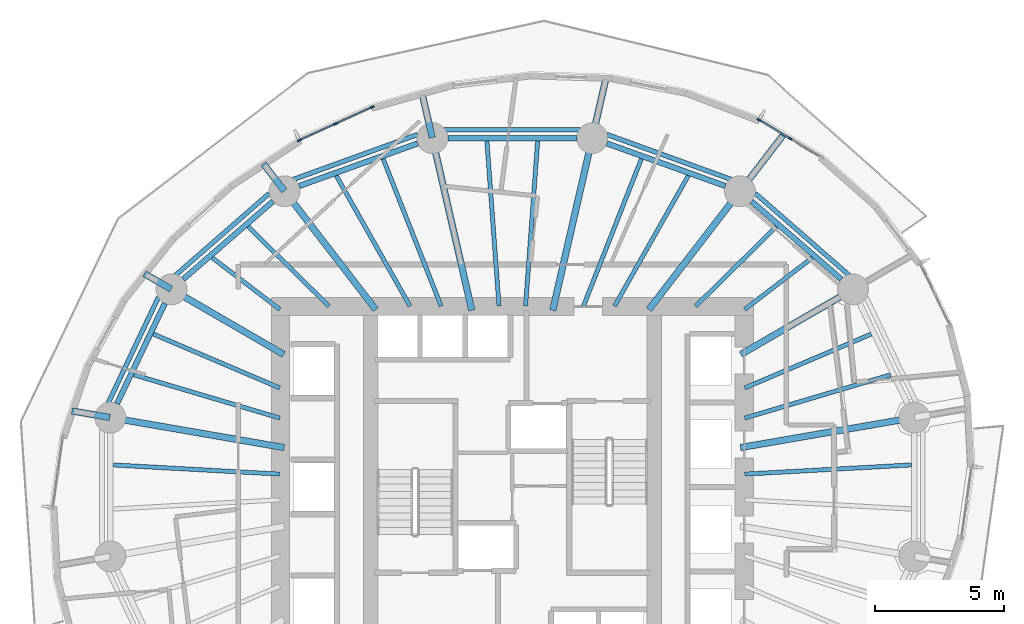
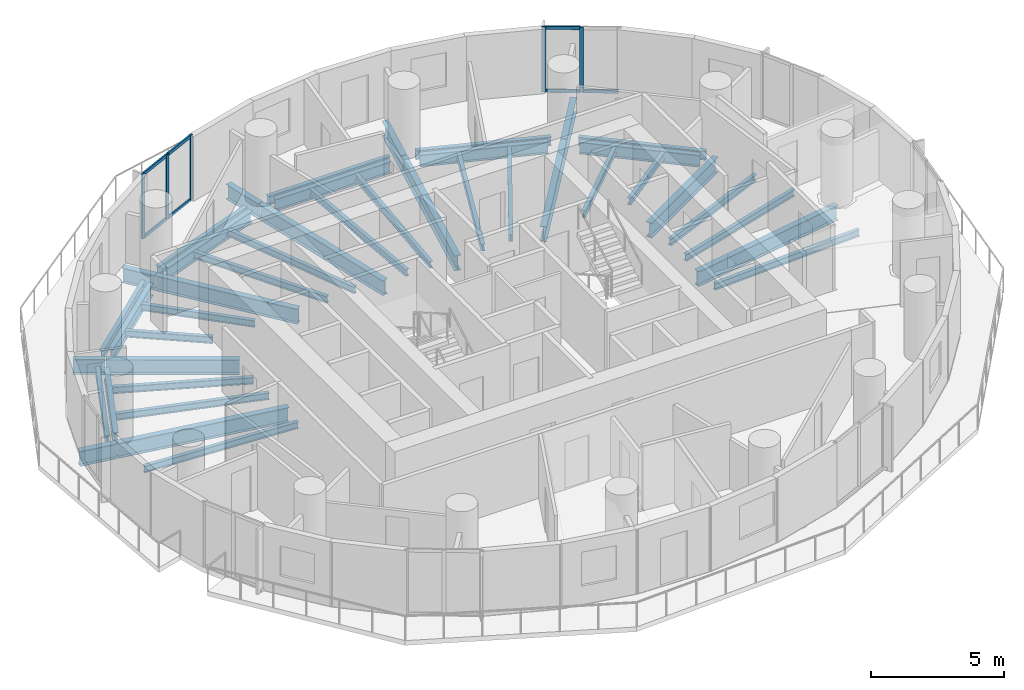
# One storey, part 4 of 14: 42 beams, 12 members, 2 elements without a shape of their own.
"""IFC4 building model written with IfcOpenShell, lengths in metres."""

from ifc_helpers import new_model, si_unit, direction, frame, origin, origin_2d, place, context, subcontext, project, spatial, rectangle, i_section, extrude, material, material_profile, profile_set, type_object, element, aggregate, save


model = new_model("IFC4")

# Units and contexts
model_context = context("Model", 3, precision=1e-05, world=origin(), true_north=direction((0.0, 1.0)))
body_context = subcontext(model_context, "Body", "Model", "MODEL_VIEW")
ifc_project = project(units=[si_unit("LENGTHUNIT", "METRE"), si_unit("AREAUNIT", "SQUARE_METRE"), si_unit("VOLUMEUNIT", "CUBIC_METRE"), si_unit("PLANEANGLEUNIT", "RADIAN"), si_unit("MASSUNIT", "GRAM", prefix="KILO")], contexts=[model_context])

# Site, building, storey
site_placement = place(None, origin())
site = spatial("IfcSite", under=ifc_project, at=site_placement, CompositionType="ELEMENT")
building_placement = place(site_placement, origin())
building = spatial("IfcBuilding", under=site, at=building_placement, Name="Veldorim Arch Residences", CompositionType="ELEMENT")
storey_placement = place(building_placement, frame((0.0, 0.0, 90.080078125)))
storey = spatial("IfcBuildingStorey", under=building, at=storey_placement, Name="L26", CompositionType="ELEMENT", Elevation=90.080078125)

# Beams
ifc_material_1 = material(Name="Steel S355", Category="steel")
ifc_material_profile_1 = material_profile(ifc_material_1, i_section(OverallWidth=0.2119140625, OverallDepth=0.54443359375, WebThickness=0.0126953125, FlangeThickness=0.021240234375, at=origin_2d()), Name="UB533x210x122")
ifc_profile_set_1 = profile_set([ifc_material_profile_1], Name="Steel S355")
beam_type_1 = type_object("IfcBeamType", Name="Structural Steel Beam UB533x210x122", PredefinedType="BEAM", material=ifc_profile_set_1)
beam_1_placement = place(storey_placement, frame((44.767333984375, 32.060302734375, -0.51220703125), z_axis=(-0.755244952556, 0.655442645576, 0.0), x_axis=(-0.655442645576, -0.755244952556, 0.0)))
element("IfcBeam", 1, at=beam_1_placement, inside=storey, type_object=beam_type_1, Name="L26 perimeter ring tie beam 02", PredefinedType="BEAM", context=body_context, shape_type="SweptSolid", body=[
    extrude(i_section(OverallWidth=0.2119140625, OverallDepth=0.54443359375, WebThickness=0.0126953125, FlangeThickness=0.021240234375, at=origin_2d()), origin(), (0.0, 0.0, 1.0), 4.608642578125),
])
beam_2_placement = place(storey_placement, frame((40.26904296875, 35.67724609375, -0.51220703125), z_axis=(-0.941041944493, 0.338289903343, 0.0), x_axis=(-0.338289903343, -0.941041944493, 0.0)))
element("IfcBeam", 2, at=beam_2_placement, inside=storey, type_object=beam_type_1, Name="L26 perimeter ring tie beam 03", PredefinedType="BEAM", context=body_context, shape_type="SweptSolid", body=[
    extrude(i_section(OverallWidth=0.2119140625, OverallDepth=0.54443359375, WebThickness=0.0126953125, FlangeThickness=0.021240234375, at=origin_2d()), origin(), (0.0, 0.0, 1.0), 4.890869140625),
])
beam_3_placement = place(storey_placement, frame((34.501953125, 37.534912109375, -0.51220703125), z_axis=(-1.0, 0.0, 0.0), x_axis=(0.0, -1.0, 0.0)))
element("IfcBeam", 3, at=beam_3_placement, inside=storey, type_object=beam_type_1, Name="L26 perimeter ring tie beam 04", PredefinedType="BEAM", context=body_context, shape_type="SweptSolid", body=[
    extrude(i_section(OverallWidth=0.2119140625, OverallDepth=0.54443359375, WebThickness=0.0126953125, FlangeThickness=0.021240234375, at=origin_2d()), origin(), (0.0, 0.0, 1.0), 5.00390625),
])
beam_4_placement = place(storey_placement, frame((28.33349609375, 37.331787109375, -0.51220703125), z_axis=(-0.941041944493, -0.338289903343, 0.0), x_axis=(0.338289903343, -0.941041944493, 0.0)))
element("IfcBeam", 4, at=beam_4_placement, inside=storey, type_object=beam_type_1, Name="L26 perimeter ring tie beam 05", PredefinedType="BEAM", context=body_context, shape_type="SweptSolid", body=[
    extrude(i_section(OverallWidth=0.2119140625, OverallDepth=0.54443359375, WebThickness=0.0126953125, FlangeThickness=0.021240234375, at=origin_2d()), origin(), (0.0, 0.0, 1.0), 4.890869140625),
])
beam_5_placement = place(storey_placement, frame((22.71337890625, 35.0810546875, -0.51220703125), z_axis=(-0.755244952556, -0.655442645576, 0.0), x_axis=(0.655442645576, -0.755244952556, 0.0)))
element("IfcBeam", 5, at=beam_5_placement, inside=storey, type_object=beam_type_1, Name="L26 perimeter ring tie beam 06", PredefinedType="BEAM", context=body_context, shape_type="SweptSolid", body=[
    extrude(i_section(OverallWidth=0.2119140625, OverallDepth=0.54443359375, WebThickness=0.0126953125, FlangeThickness=0.021240234375, at=origin_2d()), origin(), (0.0, 0.0, 1.0), 4.608642578125),
])
beam_6_placement = place(storey_placement, frame((18.521240234375, 31.12548828125, -0.51220703125), z_axis=(-0.430720154476, -0.902485539235, 0.0), x_axis=(0.902485539235, -0.430720154476, 0.0)))
element("IfcBeam", 6, at=beam_6_placement, inside=storey, type_object=beam_type_1, Name="L26 perimeter ring tie beam 07", PredefinedType="BEAM", context=body_context, shape_type="SweptSolid", body=[
    extrude(i_section(OverallWidth=0.2119140625, OverallDepth=0.54443359375, WebThickness=0.0126953125, FlangeThickness=0.021240234375, at=origin_2d()), origin(), (0.0, 0.0, 1.0), 4.312255859375),
])
ifc_material_2 = material(Name="Steel S355", Category="steel")
ifc_material_profile_2 = material_profile(ifc_material_2, i_section(OverallWidth=0.25439453125, OverallDepth=0.6875, WebThickness=0.01318359375, FlangeThickness=0.02099609375, at=origin_2d()), Name="UB686x254x152")
ifc_profile_set_2 = profile_set([ifc_material_profile_2], Name="Steel S355")
beam_type_2 = type_object("IfcBeamType", Name="Structural Steel GIRDER UB686x254x152", PredefinedType="USERDEFINED", material=ifc_profile_set_2)
beam_7_placement = place(storey_placement, frame((40.852294921875, 25.5283203125, -0.583740234375), z_axis=(0.985426622718, 0.17010106184, 0.0), x_axis=(-0.17010106184, 0.985426622718, 0.0)))
element("IfcBeam", 7, at=beam_7_placement, inside=storey, type_object=beam_type_2, Name="L26 radial floor girder 01", ObjectType="GIRDER", PredefinedType="USERDEFINED", context=body_context, shape_type="SweptSolid", body=[
    extrude(i_section(OverallWidth=0.25439453125, OverallDepth=0.6875, WebThickness=0.01318359375, FlangeThickness=0.02099609375, at=origin_2d()), origin(), (0.0, 0.0, 1.0), 6.82177734375),
])
beam_8_placement = place(storey_placement, frame((40.8701171875, 29.14404296875, -0.583740234375), z_axis=(0.865048957682, 0.501687453314, 0.0), x_axis=(-0.501687453314, 0.865048957682, 0.0)))
element("IfcBeam", 8, at=beam_8_placement, inside=storey, type_object=beam_type_2, Name="L26 radial floor girder 02", ObjectType="GIRDER", PredefinedType="USERDEFINED", context=body_context, shape_type="SweptSolid", body=[
    extrude(i_section(OverallWidth=0.25439453125, OverallDepth=0.6875, WebThickness=0.01318359375, FlangeThickness=0.02099609375, at=origin_2d()), origin(), (0.0, 0.0, 1.0), 5.009033203125),
])
beam_9_placement = place(storey_placement, frame((37.297607421875, 30.881103515625, -0.583740234375), z_axis=(0.609994628196, 0.792405548676, 0.0), x_axis=(-0.792405548676, 0.609994628196, 0.0)))
element("IfcBeam", 9, at=beam_9_placement, inside=storey, type_object=beam_type_2, Name="L26 radial floor girder 03", ObjectType="GIRDER", PredefinedType="USERDEFINED", context=body_context, shape_type="SweptSolid", body=[
    extrude(i_section(OverallWidth=0.25439453125, OverallDepth=0.6875, WebThickness=0.01318359375, FlangeThickness=0.02099609375, at=origin_2d()), origin(), (0.0, 0.0, 1.0), 5.776611328125),
])
beam_10_placement = place(storey_placement, frame((40.845703125, 35.489990234375, -0.583740234375), z_axis=(0.610003108496, 0.792399020459, 0.0), x_axis=(-0.792399020459, 0.610003108496, 0.0)))
element("IfcBeam", 10, at=beam_10_placement, inside=storey, type_object=beam_type_2, Name="L26 radial edge cantilever girder 03", ObjectType="GIRDER", PredefinedType="USERDEFINED", context=body_context, shape_type="SweptSolid", body=[
    extrude(i_section(OverallWidth=0.25439453125, OverallDepth=0.6875, WebThickness=0.01318359375, FlangeThickness=0.02099609375, at=origin_2d()), origin(), (0.0, 0.0, 1.0), 2.743896484375),
])
beam_11_placement = place(storey_placement, frame((33.57080078125, 30.853759765625, -0.583740234375), z_axis=(0.223374742148, 0.97473264261, 0.0), x_axis=(-0.97473264261, 0.223374742148, 0.0)))
element("IfcBeam", 11, at=beam_11_placement, inside=storey, type_object=beam_type_2, Name="L26 radial floor girder 04", ObjectType="GIRDER", PredefinedType="USERDEFINED", context=body_context, shape_type="SweptSolid", body=[
    extrude(i_section(OverallWidth=0.25439453125, OverallDepth=0.6875, WebThickness=0.01318359375, FlangeThickness=0.02099609375, at=origin_2d()), origin(), (0.0, 0.0, 1.0), 6.834228515625),
])
beam_12_placement = place(storey_placement, frame((35.1064453125, 37.55419921875, -0.583740234375), z_axis=(0.223325717101, 0.974743876145, 0.0), x_axis=(-0.974743876145, 0.223325717101, 0.0)))
element("IfcBeam", 12, at=beam_12_placement, inside=storey, type_object=beam_type_2, Name="L26 radial edge cantilever girder 04", ObjectType="GIRDER", PredefinedType="USERDEFINED", context=body_context, shape_type="SweptSolid", body=[
    extrude(i_section(OverallWidth=0.25439453125, OverallDepth=0.6875, WebThickness=0.01318359375, FlangeThickness=0.02099609375, at=origin_2d()), origin(), (0.0, 0.0, 1.0), 2.395263671875),
])
beam_13_placement = place(storey_placement, frame((30.42919921875, 30.853759765625, -0.583740234375), z_axis=(-0.223374742148, 0.97473264261, 0.0), x_axis=(-0.97473264261, -0.223374742148, 0.0)))
element("IfcBeam", 13, at=beam_13_placement, inside=storey, type_object=beam_type_2, Name="L26 radial floor girder 05", ObjectType="GIRDER", PredefinedType="USERDEFINED", context=body_context, shape_type="SweptSolid", body=[
    extrude(i_section(OverallWidth=0.25439453125, OverallDepth=0.6875, WebThickness=0.01318359375, FlangeThickness=0.02099609375, at=origin_2d()), origin(), (0.0, 0.0, 1.0), 6.834228515625),
])
beam_14_placement = place(storey_placement, frame((28.8935546875, 37.55419921875, -0.583740234375), z_axis=(-0.223398006298, 0.974727310986, 0.0), x_axis=(-0.974727310986, -0.223398006298, 0.0)))
element("IfcBeam", 14, at=beam_14_placement, inside=storey, type_object=beam_type_2, Name="L26 radial edge cantilever girder 05", ObjectType="GIRDER", PredefinedType="USERDEFINED", context=body_context, shape_type="SweptSolid", body=[
    extrude(i_section(OverallWidth=0.25439453125, OverallDepth=0.6875, WebThickness=0.01318359375, FlangeThickness=0.02099609375, at=origin_2d()), origin(), (0.0, 0.0, 1.0), 1.769287109375),
])
beam_15_placement = place(storey_placement, frame((26.702392578125, 30.881103515625, -0.583740234375), z_axis=(-0.609994628196, 0.792405548676, 0.0), x_axis=(-0.792405548676, -0.609994628196, 0.0)))
element("IfcBeam", 15, at=beam_15_placement, inside=storey, type_object=beam_type_2, Name="L26 radial floor girder 06", ObjectType="GIRDER", PredefinedType="USERDEFINED", context=body_context, shape_type="SweptSolid", body=[
    extrude(i_section(OverallWidth=0.25439453125, OverallDepth=0.6875, WebThickness=0.01318359375, FlangeThickness=0.02099609375, at=origin_2d()), origin(), (0.0, 0.0, 1.0), 5.776611328125),
])
beam_16_placement = place(storey_placement, frame((23.154296875, 35.489990234375, -0.583740234375), z_axis=(-0.609952716704, 0.792437810421, 0.0), x_axis=(-0.792437810421, -0.609952716704, 0.0)))
element("IfcBeam", 16, at=beam_16_placement, inside=storey, type_object=beam_type_2, Name="L26 radial edge cantilever girder 06", ObjectType="GIRDER", PredefinedType="USERDEFINED", context=body_context, shape_type="SweptSolid", body=[
    extrude(i_section(OverallWidth=0.25439453125, OverallDepth=0.6875, WebThickness=0.01318359375, FlangeThickness=0.02099609375, at=origin_2d()), origin(), (0.0, 0.0, 1.0), 1.31640625),
])
beam_17_placement = place(storey_placement, frame((23.1298828125, 29.14404296875, -0.583740234375), z_axis=(-0.865048957682, 0.501687453314, 0.0), x_axis=(-0.501687453314, -0.865048957682, 0.0)))
element("IfcBeam", 17, at=beam_17_placement, inside=storey, type_object=beam_type_2, Name="L26 radial floor girder 07", ObjectType="GIRDER", PredefinedType="USERDEFINED", context=body_context, shape_type="SweptSolid", body=[
    extrude(i_section(OverallWidth=0.25439453125, OverallDepth=0.6875, WebThickness=0.01318359375, FlangeThickness=0.02099609375, at=origin_2d()), origin(), (0.0, 0.0, 1.0), 5.009033203125),
])
beam_18_placement = place(storey_placement, frame((18.76220703125, 31.677001953125, -0.583740234375), z_axis=(-0.865034732672, 0.501711980394, 0.0), x_axis=(-0.501711980394, -0.865034732672, 0.0)))
element("IfcBeam", 18, at=beam_18_placement, inside=storey, type_object=beam_type_2, Name="L26 radial edge cantilever girder 07", ObjectType="GIRDER", PredefinedType="USERDEFINED", context=body_context, shape_type="SweptSolid", body=[
    extrude(i_section(OverallWidth=0.25439453125, OverallDepth=0.6875, WebThickness=0.01318359375, FlangeThickness=0.02099609375, at=origin_2d()), origin(), (0.0, 0.0, 1.0), 1.196044921875),
])
beam_19_placement = place(storey_placement, frame((23.147705078125, 25.5283203125, -0.583740234375), z_axis=(-0.985426622718, 0.17010106184, 0.0), x_axis=(-0.17010106184, -0.985426622718, 0.0)))
element("IfcBeam", 19, at=beam_19_placement, inside=storey, type_object=beam_type_2, Name="L26 radial floor girder 08", ObjectType="GIRDER", PredefinedType="USERDEFINED", context=body_context, shape_type="SweptSolid", body=[
    extrude(i_section(OverallWidth=0.25439453125, OverallDepth=0.6875, WebThickness=0.01318359375, FlangeThickness=0.02099609375, at=origin_2d()), origin(), (0.0, 0.0, 1.0), 6.82177734375),
])
beam_20_placement = place(storey_placement, frame((16.3857421875, 26.695556640625, -0.583740234375), z_axis=(-0.985432749293, 0.170065565652, 0.0), x_axis=(-0.170065565652, -0.985432749293, 0.0)))
element("IfcBeam", 20, at=beam_20_placement, inside=storey, type_object=beam_type_2, Name="L26 radial edge cantilever girder 08", ObjectType="GIRDER", PredefinedType="USERDEFINED", context=body_context, shape_type="SweptSolid", body=[
    extrude(i_section(OverallWidth=0.25439453125, OverallDepth=0.6875, WebThickness=0.01318359375, FlangeThickness=0.02099609375, at=origin_2d()), origin(), (0.0, 0.0, 1.0), 1.494384765625),
])
ifc_material_3 = material(Name="Steel S355", Category="steel")
ifc_material_profile_3 = material_profile(ifc_material_3, i_section(OverallWidth=0.165771484375, OverallDepth=0.306640625, WebThickness=0.006591796875, FlangeThickness=0.01171875, at=origin_2d()), Name="UB305x165x46")
ifc_profile_set_3 = profile_set([ifc_material_profile_3], Name="Steel S355")
beam_type_3 = type_object("IfcBeamType", Name="Structural Steel Joist UB305x165x46", PredefinedType="JOIST", material=ifc_profile_set_3)
beam_21_placement = place(storey_placement, frame((41.019287109375, 26.673583984375, -0.393310546875), z_axis=(0.958753061488, 0.284240333324, 0.0), x_axis=(-0.284240333324, 0.958753061488, 0.0)))
element("IfcBeam", 21, at=beam_21_placement, inside=storey, type_object=beam_type_3, Name="L26 secondary radial floor joist 01-1", PredefinedType="JOIST", context=body_context, shape_type="SweptSolid", body=[
    extrude(i_section(OverallWidth=0.165771484375, OverallDepth=0.306640625, WebThickness=0.006591796875, FlangeThickness=0.01171875, at=origin_2d()), origin(), (0.0, 0.0, 1.0), 5.906005859375),
])
beam_22_placement = place(storey_placement, frame((41.018310546875, 27.841552734375, -0.393310546875), z_axis=(0.919997395122, 0.391924473552, 0.0), x_axis=(-0.391924473552, 0.919997395122, 0.0)))
element("IfcBeam", 22, at=beam_22_placement, inside=storey, type_object=beam_type_3, Name="L26 secondary radial floor joist 01-2", PredefinedType="JOIST", context=body_context, shape_type="SweptSolid", body=[
    extrude(i_section(OverallWidth=0.165771484375, OverallDepth=0.306640625, WebThickness=0.006591796875, FlangeThickness=0.01171875, at=origin_2d()), origin(), (0.0, 0.0, 1.0), 5.334716796875),
])
beam_23_placement = place(storey_placement, frame((41.015869140625, 30.888427734375, -0.393310546875), z_axis=(0.794594763594, 0.60714014994, 0.0), x_axis=(-0.60714014994, 0.794594763594, 0.0)))
element("IfcBeam", 23, at=beam_23_placement, inside=storey, type_object=beam_type_3, Name="L26 secondary radial floor joist 02-1", PredefinedType="JOIST", context=body_context, shape_type="SweptSolid", body=[
    extrude(i_section(OverallWidth=0.165771484375, OverallDepth=0.306640625, WebThickness=0.006591796875, FlangeThickness=0.01171875, at=origin_2d()), origin(), (0.0, 0.0, 1.0), 3.30419921875),
])
beam_24_placement = place(storey_placement, frame((39.114013671875, 31.013916015625, -0.393310546875), z_axis=(0.712111629941, 0.702066255066, 0.0), x_axis=(-0.702066255066, 0.712111629941, 0.0)))
element("IfcBeam", 24, at=beam_24_placement, inside=storey, type_object=beam_type_3, Name="L26 secondary radial floor joist 02-2", PredefinedType="JOIST", context=body_context, shape_type="SweptSolid", body=[
    extrude(i_section(OverallWidth=0.165771484375, OverallDepth=0.306640625, WebThickness=0.006591796875, FlangeThickness=0.01171875, at=origin_2d()), origin(), (0.0, 0.0, 1.0), 4.39892578125),
])
beam_25_placement = place(storey_placement, frame((35.96826171875, 31.017333984375, -0.393310546875), z_axis=(0.492227411199, 0.870466642476, 0.0), x_axis=(-0.870466642476, 0.492227411199, 0.0)))
element("IfcBeam", 25, at=beam_25_placement, inside=storey, type_object=beam_type_3, Name="L26 secondary radial floor joist 03-1", PredefinedType="JOIST", context=body_context, shape_type="SweptSolid", body=[
    extrude(i_section(OverallWidth=0.165771484375, OverallDepth=0.306640625, WebThickness=0.006591796875, FlangeThickness=0.01171875, at=origin_2d()), origin(), (0.0, 0.0, 1.0), 5.81494140625),
])
beam_26_placement = place(storey_placement, frame((34.761962890625, 31.0185546875, -0.393310546875), z_axis=(0.366194870364, 0.930538186707, 0.0), x_axis=(-0.930538186707, 0.366194870364, 0.0)))
element("IfcBeam", 26, at=beam_26_placement, inside=storey, type_object=beam_type_3, Name="L26 secondary radial floor joist 03-2", PredefinedType="JOIST", context=body_context, shape_type="SweptSolid", body=[
    extrude(i_section(OverallWidth=0.165771484375, OverallDepth=0.306640625, WebThickness=0.006591796875, FlangeThickness=0.01171875, at=origin_2d()), origin(), (0.0, 0.0, 1.0), 6.1396484375),
])
for number, where, z_axis, x_axis, name in (
    (27, (32.514892578125, 31.02001953125, -0.393310546875), (0.073143494169, 0.997321427254, 0.0), (-0.997321427254, 0.073143494169, 0.0), "L26 secondary radial floor joist 04-1"),
    (28, (31.485107421875, 31.02001953125, -0.393310546875), (-0.073143494169, 0.997321427254, 0.0), (-0.997321427254, -0.073143494169, 0.0), "L26 secondary radial floor joist 04-2"),
):
    element("IfcBeam", number, at=place(storey_placement, frame(where, z_axis=z_axis, x_axis=x_axis)), inside=storey, type_object=beam_type_3, Name=name, PredefinedType="JOIST", context=body_context, shape_type="SweptSolid", body=[
        extrude(i_section(OverallWidth=0.165771484375, OverallDepth=0.306640625, WebThickness=0.006591796875, FlangeThickness=0.01171875, at=origin_2d()), origin(), (0.0, 0.0, 1.0), 6.421875),
    ])
beam_27_placement = place(storey_placement, frame((29.238037109375, 31.0185546875, -0.393310546875), z_axis=(-0.366194870364, 0.930538186707, 0.0), x_axis=(-0.930538186707, -0.366194870364, 0.0)))
element("IfcBeam", 29, at=beam_27_placement, inside=storey, type_object=beam_type_3, Name="L26 secondary radial floor joist 05-1", PredefinedType="JOIST", context=body_context, shape_type="SweptSolid", body=[
    extrude(i_section(OverallWidth=0.165771484375, OverallDepth=0.306640625, WebThickness=0.006591796875, FlangeThickness=0.01171875, at=origin_2d()), origin(), (0.0, 0.0, 1.0), 6.1396484375),
])
beam_28_placement = place(storey_placement, frame((28.03173828125, 31.017333984375, -0.393310546875), z_axis=(-0.492227411199, 0.870466642476, 0.0), x_axis=(-0.870466642476, -0.492227411199, 0.0)))
element("IfcBeam", 30, at=beam_28_placement, inside=storey, type_object=beam_type_3, Name="L26 secondary radial floor joist 05-2", PredefinedType="JOIST", context=body_context, shape_type="SweptSolid", body=[
    extrude(i_section(OverallWidth=0.165771484375, OverallDepth=0.306640625, WebThickness=0.006591796875, FlangeThickness=0.01171875, at=origin_2d()), origin(), (0.0, 0.0, 1.0), 5.81494140625),
])
beam_29_placement = place(storey_placement, frame((24.885986328125, 31.013916015625, -0.393310546875), z_axis=(-0.712111629941, 0.702066255066, 0.0), x_axis=(-0.702066255066, -0.712111629941, 0.0)))
element("IfcBeam", 31, at=beam_29_placement, inside=storey, type_object=beam_type_3, Name="L26 secondary radial floor joist 06-1", PredefinedType="JOIST", context=body_context, shape_type="SweptSolid", body=[
    extrude(i_section(OverallWidth=0.165771484375, OverallDepth=0.306640625, WebThickness=0.006591796875, FlangeThickness=0.01171875, at=origin_2d()), origin(), (0.0, 0.0, 1.0), 4.39892578125),
])
beam_30_placement = place(storey_placement, frame((22.984130859375, 30.888427734375, -0.393310546875), z_axis=(-0.794594763594, 0.60714014994, 0.0), x_axis=(-0.60714014994, -0.794594763594, 0.0)))
element("IfcBeam", 32, at=beam_30_placement, inside=storey, type_object=beam_type_3, Name="L26 secondary radial floor joist 06-2", PredefinedType="JOIST", context=body_context, shape_type="SweptSolid", body=[
    extrude(i_section(OverallWidth=0.165771484375, OverallDepth=0.306640625, WebThickness=0.006591796875, FlangeThickness=0.01171875, at=origin_2d()), origin(), (0.0, 0.0, 1.0), 3.30419921875),
])
beam_31_placement = place(storey_placement, frame((22.981689453125, 27.841552734375, -0.393310546875), z_axis=(-0.919997395122, 0.391924473552, 0.0), x_axis=(-0.391924473552, -0.919997395122, 0.0)))
element("IfcBeam", 33, at=beam_31_placement, inside=storey, type_object=beam_type_3, Name="L26 secondary radial floor joist 07-1", PredefinedType="JOIST", context=body_context, shape_type="SweptSolid", body=[
    extrude(i_section(OverallWidth=0.165771484375, OverallDepth=0.306640625, WebThickness=0.006591796875, FlangeThickness=0.01171875, at=origin_2d()), origin(), (0.0, 0.0, 1.0), 5.334716796875),
])
beam_32_placement = place(storey_placement, frame((22.980712890625, 26.673583984375, -0.393310546875), z_axis=(-0.958753061488, 0.284240333324, 0.0), x_axis=(-0.284240333324, -0.958753061488, 0.0)))
element("IfcBeam", 34, at=beam_32_placement, inside=storey, type_object=beam_type_3, Name="L26 secondary radial floor joist 07-2", PredefinedType="JOIST", context=body_context, shape_type="SweptSolid", body=[
    extrude(i_section(OverallWidth=0.165771484375, OverallDepth=0.306640625, WebThickness=0.006591796875, FlangeThickness=0.01171875, at=origin_2d()), origin(), (0.0, 0.0, 1.0), 5.906005859375),
])
for number, where, z_axis, x_axis, name in (
    (35, (22.97998046875, 24.498291015625, -0.393310546875), (-0.99847713097, 0.055167190702, 0.0), (-0.055167190702, -0.99847713097, 0.0), "L26 secondary radial floor joist 08-1"),
    (36, (41.02001953125, 24.498291015625, -0.393310546875), (0.99847713097, 0.055167190702, 0.0), (-0.055167190702, 0.99847713097, 0.0), "L26 secondary radial floor joist 16-2"),
):
    element("IfcBeam", number, at=place(storey_placement, frame(where, z_axis=z_axis, x_axis=x_axis)), inside=storey, type_object=beam_type_3, Name=name, PredefinedType="JOIST", context=body_context, shape_type="SweptSolid", body=[
        extrude(i_section(OverallWidth=0.165771484375, OverallDepth=0.306640625, WebThickness=0.006591796875, FlangeThickness=0.01171875, at=origin_2d()), origin(), (0.0, 0.0, 1.0), 6.474365234375),
    ])
ifc_material_4 = material(Name="Steel S355", Category="steel")
ifc_material_profile_4 = material_profile(ifc_material_4, i_section(OverallWidth=0.1787109375, OverallDepth=0.409423828125, WebThickness=0.0087890625, FlangeThickness=0.014404296875, at=origin_2d()), Name="UB406x178x67")
ifc_profile_set_4 = profile_set([ifc_material_profile_4], Name="Steel S355")
beam_type_4 = type_object("IfcBeamType", Name="Structural Steel Spandrel UB406x178x67", PredefinedType="SPANDREL", material=ifc_profile_set_4)
beam_33_placement = place(storey_placement, frame((45.108154296875, 32.1796875, -0.46484375), z_axis=(-0.753323239074, 0.65765043714, 0.0), x_axis=(-0.65765043714, -0.753323239074, 0.0)))
element("IfcBeam", 37, at=beam_33_placement, inside=storey, type_object=beam_type_4, Name="L26 perimeter chord spandrel beam 02", PredefinedType="SPANDREL", context=body_context, shape_type="SweptSolid", body=[
    extrude(i_section(OverallWidth=0.1787109375, OverallDepth=0.409423828125, WebThickness=0.0087890625, FlangeThickness=0.014404296875, at=origin_2d()), origin(), (0.0, 0.0, 1.0), 4.879150390625),
])
beam_34_placement = place(storey_placement, frame((40.538330078125, 35.91552734375, -0.46484375), z_axis=(-0.940307501418, 0.340326024244, 0.0), x_axis=(-0.340326024244, -0.940307501418, 0.0)))
element("IfcBeam", 38, at=beam_34_placement, inside=storey, type_object=beam_type_4, Name="L26 perimeter chord spandrel beam 03", PredefinedType="SPANDREL", context=body_context, shape_type="SweptSolid", body=[
    extrude(i_section(OverallWidth=0.1787109375, OverallDepth=0.409423828125, WebThickness=0.0087890625, FlangeThickness=0.014404296875, at=origin_2d()), origin(), (0.0, 0.0, 1.0), 5.175048828125),
])
beam_35_placement = place(storey_placement, frame((34.647705078125, 37.8564453125, -0.46484375), z_axis=(-1.0, 0.0, 0.0), x_axis=(0.0, -1.0, 0.0)))
element("IfcBeam", 39, at=beam_35_placement, inside=storey, type_object=beam_type_4, Name="L26 perimeter chord spandrel beam 04", PredefinedType="SPANDREL", context=body_context, shape_type="SweptSolid", body=[
    extrude(i_section(OverallWidth=0.1787109375, OverallDepth=0.409423828125, WebThickness=0.0087890625, FlangeThickness=0.014404296875, at=origin_2d()), origin(), (0.0, 0.0, 1.0), 5.29541015625),
])
beam_36_placement = place(storey_placement, frame((28.327880859375, 37.6767578125, -0.46484375), z_axis=(-0.940307501418, -0.340326024244, 0.0), x_axis=(0.340326024244, -0.940307501418, 0.0)))
element("IfcBeam", 40, at=beam_36_placement, inside=storey, type_object=beam_type_4, Name="L26 perimeter chord spandrel beam 05", PredefinedType="SPANDREL", context=body_context, shape_type="SweptSolid", body=[
    extrude(i_section(OverallWidth=0.1787109375, OverallDepth=0.409423828125, WebThickness=0.0087890625, FlangeThickness=0.014404296875, at=origin_2d()), origin(), (0.0, 0.0, 1.0), 5.175048828125),
])
beam_37_placement = place(storey_placement, frame((22.5673828125, 35.388427734375, -0.46484375), z_axis=(-0.753323239074, -0.65765043714, 0.0), x_axis=(0.65765043714, -0.753323239074, 0.0)))
element("IfcBeam", 41, at=beam_37_placement, inside=storey, type_object=beam_type_4, Name="L26 perimeter chord spandrel beam 06", PredefinedType="SPANDREL", context=body_context, shape_type="SweptSolid", body=[
    extrude(i_section(OverallWidth=0.1787109375, OverallDepth=0.409423828125, WebThickness=0.0087890625, FlangeThickness=0.014404296875, at=origin_2d()), origin(), (0.0, 0.0, 1.0), 4.879150390625),
])
beam_38_placement = place(storey_placement, frame((18.267578125, 31.35546875, -0.46484375), z_axis=(-0.428857472204, -0.903372165021, 0.0), x_axis=(0.903372165021, -0.428857472204, 0.0)))
element("IfcBeam", 42, at=beam_38_placement, inside=storey, type_object=beam_type_4, Name="L26 perimeter chord spandrel beam 07", PredefinedType="SPANDREL", context=body_context, shape_type="SweptSolid", body=[
    extrude(i_section(OverallWidth=0.1787109375, OverallDepth=0.409423828125, WebThickness=0.0087890625, FlangeThickness=0.014404296875, at=origin_2d()), origin(), (0.0, 0.0, 1.0), 4.572021484375),
])

# Curtain wall, members
ifc_material_5 = material(Name="Aluminium", Category="aluminium")
curtain_wall_type = type_object("IfcCurtainWallType", Name="Zone 2 Solar-Control Unitised Curtain Wall", PredefinedType="NOTDEFINED", material=ifc_material_5)
curtain_wall_1_placement = place(storey_placement, origin())
curtain_wall_1 = element("IfcCurtainWall", 43, at=curtain_wall_1_placement, inside=storey, type_object=curtain_wall_type, Name="L26 unitised curtain wall bay 04", PredefinedType="NOTDEFINED")
ifc_material_6 = material(Name="Aluminium", Category="aluminium")
ifc_material_profile_5 = material_profile(ifc_material_6, rectangle(XDim=0.06494140625, YDim=0.1650390625, at=origin_2d()), Name="ALU_MUL_65x165")
ifc_profile_set_5 = profile_set([ifc_material_profile_5], Name="Aluminium")
member_type_1 = type_object("IfcMemberType", Name="Zone 2 Solar-Control Unitised Curtain Wall Mullion 65x165", PredefinedType="MULLION", material=ifc_profile_set_5)
member_1_placement = place(storey_placement, frame((41.569091796875, 38.244873046875, 0.0), z_axis=(0.0, 0.0, 1.0), x_axis=(0.514313089023, 0.857602499098, 0.0)))
member_1 = element("IfcMember", 44, at=member_1_placement, type_object=member_type_1, Name="CW-Z2 mullion 1", PredefinedType="MULLION", context=body_context, shape_type="SweptSolid", body=[
    extrude(rectangle(XDim=0.06494140625, YDim=0.1650390625, at=origin_2d()), origin(), (0.0, 0.0, 1.0), 2.9599609375),
])
member_2_placement = place(storey_placement, frame((42.7841796875, 37.516357421875, 0.0), z_axis=(0.0, 0.0, 1.0), x_axis=(0.514313089023, 0.857602499098, 0.0)))
member_2 = element("IfcMember", 45, at=member_2_placement, type_object=member_type_1, Name="CW-Z2 mullion 2", PredefinedType="MULLION", context=body_context, shape_type="SweptSolid", body=[
    extrude(rectangle(XDim=0.06494140625, YDim=0.1650390625, at=origin_2d()), origin(), (0.0, 0.0, 1.0), 2.9599609375),
])

curtain_wall_2_placement = place(storey_placement, origin())
curtain_wall_2 = element("IfcCurtainWall", 46, at=curtain_wall_2_placement, inside=storey, type_object=curtain_wall_type, Name="L26 unitised curtain wall bay 10", PredefinedType="NOTDEFINED")
member_3_placement = place(storey_placement, frame((23.737548828125, 37.448974609375, 0.0), z_axis=(0.0, 0.0, 1.0), x_axis=(-0.414741699201, 0.909939186399, 0.0)))
member_3 = element("IfcMember", 47, at=member_3_placement, type_object=member_type_1, Name="CW-Z2 mullion 1", PredefinedType="MULLION", context=body_context, shape_type="SweptSolid", body=[
    extrude(rectangle(XDim=0.06494140625, YDim=0.1650390625, at=origin_2d()), origin(), (0.0, 0.0, 1.0), 2.9599609375),
])
member_4_placement = place(storey_placement, frame((25.14990234375, 38.0927734375, 0.0), z_axis=(0.0, 0.0, 1.0), x_axis=(-0.414741699201, 0.909939186399, 0.0)))
member_4 = element("IfcMember", 48, at=member_4_placement, type_object=member_type_1, Name="CW-Z2 mullion 2", PredefinedType="MULLION", context=body_context, shape_type="SweptSolid", body=[
    extrude(rectangle(XDim=0.06494140625, YDim=0.1650390625, at=origin_2d()), origin(), (0.0, 0.0, 1.0), 2.9599609375),
])
member_5_placement = place(storey_placement, frame((26.562255859375, 38.736572265625, 0.0), z_axis=(0.0, 0.0, 1.0), x_axis=(-0.414741699201, 0.909939186399, 0.0)))
member_5 = element("IfcMember", 49, at=member_5_placement, type_object=member_type_1, Name="CW-Z2 mullion 3", PredefinedType="MULLION", context=body_context, shape_type="SweptSolid", body=[
    extrude(rectangle(XDim=0.06494140625, YDim=0.1650390625, at=origin_2d()), origin(), (0.0, 0.0, 1.0), 2.9599609375),
])

# Member
ifc_material_7 = material(Name="Aluminium", Category="aluminium")
ifc_material_profile_6 = material_profile(ifc_material_7, rectangle(XDim=0.06494140625, YDim=0.14501953125, at=origin_2d()), Name="ALU_TRN_65x145")
ifc_profile_set_6 = profile_set([ifc_material_profile_6], Name="Aluminium")
member_type_2 = type_object("IfcMemberType", Name="Zone 2 Solar-Control Unitised Curtain Wall Transom 65x145", PredefinedType="USERDEFINED", material=ifc_profile_set_6)
member_6_placement = place(storey_placement, frame((41.596923828125, 38.228271484375, 0.032470703125), z_axis=(0.857604444173, -0.514309845653, 0.0), x_axis=(0.514309845653, 0.857604444173, 0.0)))
member_6 = element("IfcMember", 50, at=member_6_placement, type_object=member_type_2, Name="CW-Z2 transom 1.1", ObjectType="TRANSOM", PredefinedType="USERDEFINED", context=body_context, shape_type="SweptSolid", body=[
    extrude(rectangle(XDim=0.06494140625, YDim=0.14501953125, at=origin_2d()), origin(), (0.0, 0.0, 1.0), 1.35205078125),
])

member_7_placement = place(storey_placement, frame((41.596923828125, 38.228271484375, 2.927490234375), z_axis=(0.857604444173, -0.514309845653, 0.0), x_axis=(0.514309845653, 0.857604444173, 0.0)))
member_7 = element("IfcMember", 51, at=member_7_placement, type_object=member_type_2, Name="CW-Z2 transom 1.2", ObjectType="TRANSOM", PredefinedType="USERDEFINED", context=body_context, shape_type="SweptSolid", body=[
    extrude(rectangle(XDim=0.06494140625, YDim=0.14501953125, at=origin_2d()), origin(), (0.0, 0.0, 1.0), 1.35205078125),
])

member_8_placement = place(storey_placement, frame((42.81201171875, 37.49951171875, 0.032470703125), z_axis=(0.857636334709, -0.514256664894, 0.0), x_axis=(0.514256664894, 0.857636334709, 0.0)))
member_8 = element("IfcMember", 52, at=member_8_placement, type_object=member_type_2, Name="CW-Z2 transom 2.1", ObjectType="TRANSOM", PredefinedType="USERDEFINED", context=body_context, shape_type="SweptSolid", body=[
    extrude(rectangle(XDim=0.06494140625, YDim=0.14501953125, at=origin_2d()), origin(), (0.0, 0.0, 1.0), 1.3515625),
])

aggregate(curtain_wall_1, [member_1, member_2, member_6, member_7, member_8])

member_9_placement = place(storey_placement, frame((23.76708984375, 37.462646484375, 0.032470703125), z_axis=(0.909966885457, 0.414680922364, 0.0), x_axis=(-0.414680922364, 0.909966885457, 0.0)))
member_9 = element("IfcMember", 53, at=member_9_placement, type_object=member_type_2, Name="CW-Z2 transom 1.1", ObjectType="TRANSOM", PredefinedType="USERDEFINED", context=body_context, shape_type="SweptSolid", body=[
    extrude(rectangle(XDim=0.06494140625, YDim=0.14501953125, at=origin_2d()), origin(), (0.0, 0.0, 1.0), 1.487060546875),
])

member_10_placement = place(storey_placement, frame((23.76708984375, 37.462646484375, 2.927490234375), z_axis=(0.909966885457, 0.414680922364, 0.0), x_axis=(-0.414680922364, 0.909966885457, 0.0)))
member_10 = element("IfcMember", 54, at=member_10_placement, type_object=member_type_2, Name="CW-Z2 transom 1.2", ObjectType="TRANSOM", PredefinedType="USERDEFINED", context=body_context, shape_type="SweptSolid", body=[
    extrude(rectangle(XDim=0.06494140625, YDim=0.14501953125, at=origin_2d()), origin(), (0.0, 0.0, 1.0), 1.487060546875),
])

member_11_placement = place(storey_placement, frame((25.179443359375, 38.1064453125, 0.032470703125), z_axis=(0.909966885457, 0.414680922364, 0.0), x_axis=(-0.414680922364, 0.909966885457, 0.0)))
member_11 = element("IfcMember", 55, at=member_11_placement, type_object=member_type_2, Name="CW-Z2 transom 2.1", ObjectType="TRANSOM", PredefinedType="USERDEFINED", context=body_context, shape_type="SweptSolid", body=[
    extrude(rectangle(XDim=0.06494140625, YDim=0.14501953125, at=origin_2d()), origin(), (0.0, 0.0, 1.0), 1.487060546875),
])

member_12_placement = place(storey_placement, frame((25.179443359375, 38.1064453125, 2.927490234375), z_axis=(0.909966885457, 0.414680922364, 0.0), x_axis=(-0.414680922364, 0.909966885457, 0.0)))
member_12 = element("IfcMember", 56, at=member_12_placement, type_object=member_type_2, Name="CW-Z2 transom 2.2", ObjectType="TRANSOM", PredefinedType="USERDEFINED", context=body_context, shape_type="SweptSolid", body=[
    extrude(rectangle(XDim=0.06494140625, YDim=0.14501953125, at=origin_2d()), origin(), (0.0, 0.0, 1.0), 1.487060546875),
])

aggregate(curtain_wall_2, [member_3, member_4, member_5, member_9, member_10, member_11, member_12])

save(model, "model.ifc")
